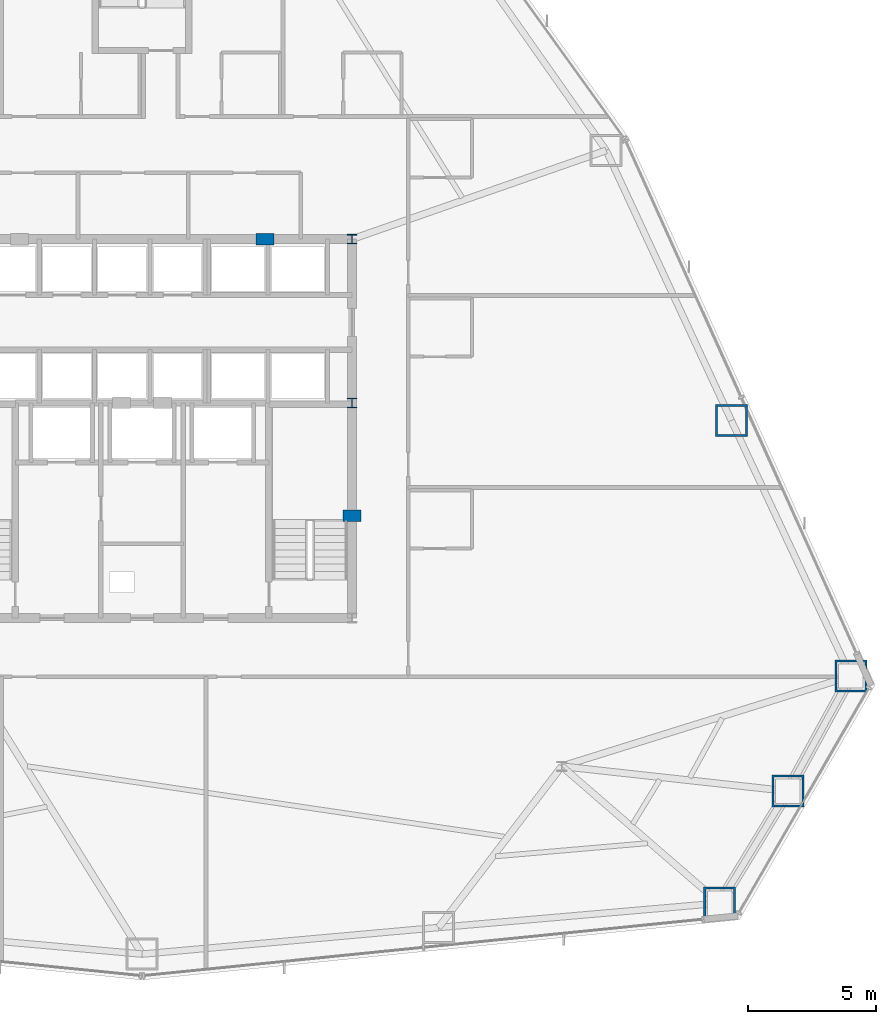
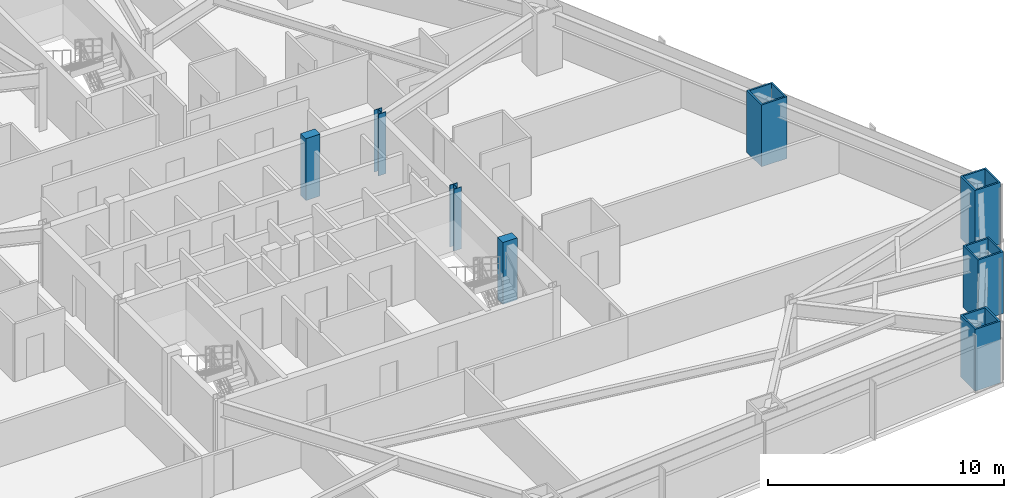
# One storey, part 2 of 12: 8 columns.
"""IFC4 building model written with IfcOpenShell, lengths in metres."""

from ifc_helpers import new_model, si_unit, direction, frame, origin, origin_2d, place, context, subcontext, project, spatial, rectangle, hollow_rectangle, i_section, extrude, material, material_profile, profile_set, type_object, element, save


model = new_model("IFC4")

# Units and contexts
model_context = context("Model", 3, precision=1e-05, world=origin(), true_north=direction((0.0, 1.0)))
body_context = subcontext(model_context, "Body", "Model", "MODEL_VIEW")
ifc_project = project(units=[si_unit("LENGTHUNIT", "METRE"), si_unit("AREAUNIT", "SQUARE_METRE"), si_unit("VOLUMEUNIT", "CUBIC_METRE"), si_unit("PLANEANGLEUNIT", "RADIAN"), si_unit("MASSUNIT", "GRAM", prefix="KILO")], contexts=[model_context])

# Site, building, storey
site_placement = place(None, origin())
site = spatial("IfcSite", under=ifc_project, at=site_placement, CompositionType="ELEMENT")
building_placement = place(site_placement, origin())
building = spatial("IfcBuilding", under=site, at=building_placement, Name="Varakhsha Concourse Tower", CompositionType="ELEMENT")
storey_placement = place(building_placement, frame((0.0, 0.0, 33.60009765625)))
storey = spatial("IfcBuildingStorey", under=building, at=storey_placement, Name="L08", CompositionType="ELEMENT", Elevation=33.60009765625)

# Columns
ifc_material_1 = material(Name="Structural Steel ASTM A992 Grade 50", Category="steel")
ifc_material_profile_1 = material_profile(ifc_material_1, i_section(OverallWidth=0.3740234375, OverallDepth=0.3720703125, WebThickness=0.01611328125, FlangeThickness=0.02587890625, at=origin_2d()), Name="W14X132")
ifc_profile_set_1 = profile_set([ifc_material_profile_1], Name="Structural Steel ASTM A992 Grade 50")
column_type_1 = type_object("IfcColumnType", Name="CL-CORE-W14X132", PredefinedType="COLUMN", material=ifc_profile_set_1)
for number, where, z_axis, x_axis, name in (
    (1, (48.199951171875, 24.800048828125, 0.0), (0.0, 0.0, 1.0), (1.0, 0.0, 0.0), "L08 Core Column CC-ME"),
    (2, (48.199951171875, 31.199951171875, 0.0), (0.0, 0.0, 1.0), (1.0, 0.0, 0.0), "L08 Core Column CC-NE"),
):
    element("IfcColumn", number, at=place(storey_placement, frame(where, z_axis=z_axis, x_axis=x_axis)), inside=storey, type_object=column_type_1, Name=name, PredefinedType="COLUMN", context=body_context, shape_type="SweptSolid", body=[
        extrude(i_section(OverallWidth=0.3740234375, OverallDepth=0.3720703125, WebThickness=0.01611328125, FlangeThickness=0.02587890625, at=origin_2d()), origin(), (0.0, 0.0, 1.0), 3.199951171875),
    ])
ifc_material_2 = material(Name="Concrete fc 65 MPa", Category="concrete")
ifc_material_profile_2 = material_profile(ifc_material_2, rectangle(XDim=0.699951171875, YDim=0.449951171875, at=origin_2d()), Name="RC 700x450")
ifc_profile_set_2 = profile_set([ifc_material_profile_2], Name="Concrete fc 65 MPa")
column_type_2 = type_object("IfcColumnType", Name="CL-PIL-700X450", PredefinedType="PILASTER", material=ifc_profile_set_2)
for number, where, z_axis, x_axis, name in (
    (3, (48.199951171875, 20.39990234375, 0.0), (0.0, 0.0, 1.0), (1.0, 0.0, 0.0), "L08 Core Boundary Pilaster PIL-E1"),
    (4, (44.800048828125, 31.199951171875, 0.0), (0.0, 0.0, 1.0), (1.0, 0.0, 0.0), "L08 Core Boundary Pilaster PIL-N2"),
):
    element("IfcColumn", number, at=place(storey_placement, frame(where, z_axis=z_axis, x_axis=x_axis)), inside=storey, type_object=column_type_2, Name=name, PredefinedType="PILASTER", context=body_context, shape_type="SweptSolid", body=[
        extrude(rectangle(XDim=0.699951171875, YDim=0.449951171875, at=origin_2d()), origin(), (0.0, 0.0, 1.0), 3.199951171875),
    ])
ifc_material_3 = material(Name="Structural Steel ASTM A572 Grade 50", Category="steel")
ifc_material_profile_3 = material_profile(ifc_material_3, hollow_rectangle(XDim=1.25, YDim=1.25, WallThickness=0.080078125, at=origin_2d()), Name="BOX 1250x1250x80")
ifc_profile_set_3 = profile_set([ifc_material_profile_3], Name="Structural Steel ASTM A572 Grade 50")
column_type_3 = type_object("IfcColumnType", Name="CL-TUBE-1250", PredefinedType="COLUMN", material=ifc_profile_set_3)
for number, where, z_axis, x_axis, name in (
    (5, (62.572998046875, 5.250732421875, 0.0), (0.0, 0.0, 1.0), (1.0, 0.0, 0.0), "L08 Framed-Tube Column TC13"),
    (6, (65.236083984375, 9.6298828125, 0.0), (0.0, 0.0, 1.0), (1.0, 0.0, 0.0), "L08 Framed-Tube Column TC14"),
    (7, (67.697265625, 14.125732421875, 0.0), (0.0, 0.0, 1.0), (1.0, 0.0, 0.0), "L08 Framed-Tube Column TC15"),
    (8, (63.027099609375, 24.116455078125, 0.0), (0.0, 0.0, 1.0), (1.0, 0.0, 0.0), "L08 Framed-Tube Column TC16"),
):
    element("IfcColumn", number, at=place(storey_placement, frame(where, z_axis=z_axis, x_axis=x_axis)), inside=storey, type_object=column_type_3, Name=name, PredefinedType="COLUMN", context=body_context, shape_type="SweptSolid", body=[
        extrude(hollow_rectangle(XDim=1.25, YDim=1.25, WallThickness=0.080078125, at=origin_2d()), origin(), (0.0, 0.0, 1.0), 3.199951171875),
    ])

save(model, "model.ifc")
